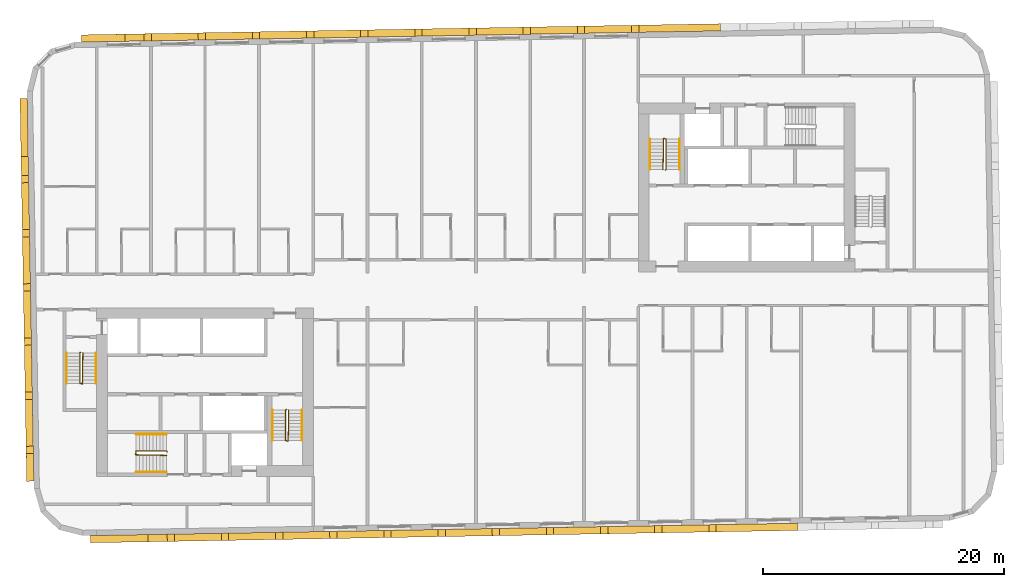
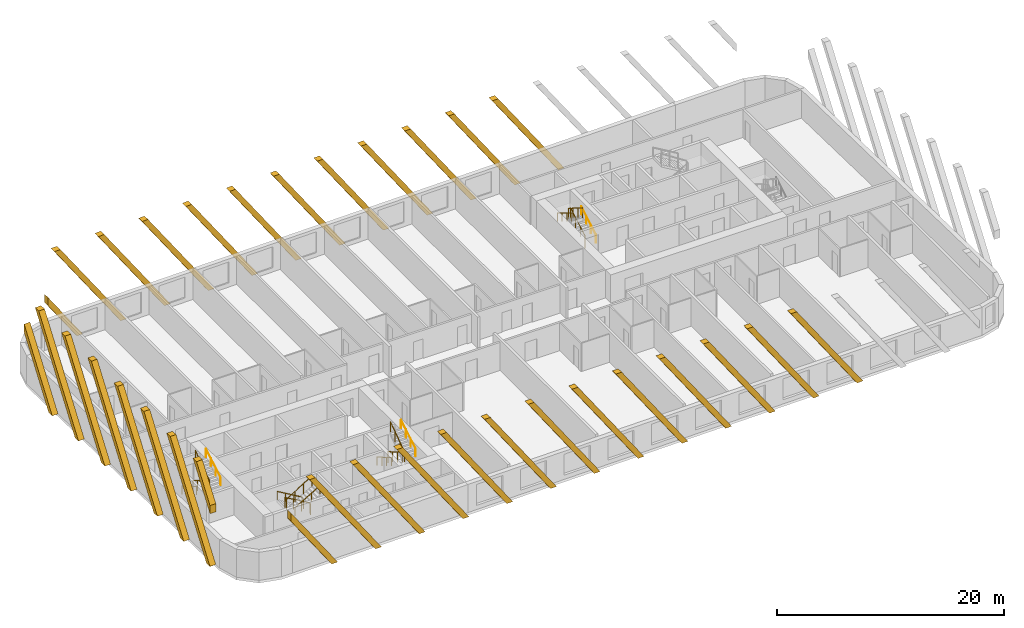
# One storey, part 12 of 13: 33 coverings, 12 railings.
"""IFC4 building model written with IfcOpenShell, lengths in metres."""

from ifc_helpers import new_model, si_unit, direction, frame, origin, origin_2d, place, context, subcontext, project, spatial, polyline, rectangle, circle, outline, extrude, material, material_profile, profile_set, type_object, element, save


model = new_model("IFC4")

# Units and contexts
model_context = context("Model", 3, precision=1e-05, world=origin(), true_north=direction((0.0, 1.0)))
body_context = subcontext(model_context, "Body", "Model", "MODEL_VIEW")
ifc_project = project(units=[si_unit("LENGTHUNIT", "METRE"), si_unit("AREAUNIT", "SQUARE_METRE"), si_unit("VOLUMEUNIT", "CUBIC_METRE"), si_unit("PLANEANGLEUNIT", "RADIAN"), si_unit("MASSUNIT", "GRAM", prefix="KILO")], contexts=[model_context])

# Site, building, storey
site_placement = place(None, origin())
site = spatial("IfcSite", under=ifc_project, at=site_placement, CompositionType="ELEMENT")
building_placement = place(site_placement, origin())
building = spatial("IfcBuilding", under=site, at=building_placement, Name="Kajstack Hotel Tower", CompositionType="ELEMENT")
storey_placement = place(building_placement, frame((0.0, 0.0, 237.5)))
storey = spatial("IfcBuildingStorey", under=building, at=storey_placement, Name="L58", CompositionType="ELEMENT", Elevation=237.5)

# Coverings
ifc_material_1 = material(Name="Terracotta", Category="masonry")
ifc_material_profile = material_profile(ifc_material_1, rectangle(XDim=0.60009765625, YDim=0.5, at=origin_2d()), Name="Terracotta-clad concrete baguette 500 x 600")
ifc_profile_set = profile_set([ifc_material_profile], Name="Terracotta")
covering_type = type_object("IfcCoveringType", Name="BAGUETTE 500x600", PredefinedType="CLADDING", material=ifc_profile_set)
covering_1_placement = place(storey_placement, frame((-37.271484375, 15.8994140625, 0.0), z_axis=(-0.999846892363, -0.017498337962, 0.0), x_axis=(0.017498337962, -0.999846892363, 0.0)))
element("IfcCovering", 1, at=covering_1_placement, inside=storey, type_object=covering_type, Name="Baguette L58-00-002", PredefinedType="CLADDING", context=body_context, shape_type="SweptSolid", body=[
    extrude(outline(polyline([(4.803466796875, 0.0), (0.0, 6.989013671875), (0.0, 6.106201171875), (4.196533203125, 0.0), (4.803466796875, 0.0)])), origin(), (0.0, 0.0, 1.0), 0.599853515625),
])
covering_2_placement = place(storey_placement, frame((-37.23828125, 14.00732421875, 0.0), z_axis=(-0.999847016888, -0.017491221207, 0.0), x_axis=(0.017491221207, -0.999847016888, 0.0)))
element("IfcCovering", 2, at=covering_2_placement, inside=storey, type_object=covering_type, Name="Baguette L58-00-006", PredefinedType="CLADDING", context=body_context, shape_type="SweptSolid", body=[
    extrude(outline(polyline([(0.0, 9.89990234375), (6.80419921875, 0.0), (7.410888671875, 0.0), (0.606689453125, 9.89990234375), (0.0, 9.89990234375)])), origin(), (0.0, 0.0, 1.0), 0.60009765625),
])
for number, where, z_axis, x_axis, name in (
    (3, (-37.159912109375, 9.5078125, 0.0), (-0.999846892363, -0.017498337962, 0.0), (0.017498337962, -0.999846892363, 0.0), "Baguette L58-00-010"),
    (4, (-37.081298828125, 5.008544921875, 0.0), (-0.999846892363, -0.017498337962, 0.0), (0.017498337962, -0.999846892363, 0.0), "Baguette L58-00-014"),
):
    element("IfcCovering", number, at=place(storey_placement, frame(where, z_axis=z_axis, x_axis=x_axis)), inside=storey, type_object=covering_type, Name=name, PredefinedType="CLADDING", context=body_context, shape_type="SweptSolid", body=[
        extrude(outline(polyline([(0.0, 9.89990234375), (6.80419921875, 0.0), (7.410888671875, 0.0), (0.606689453125, 9.89990234375), (0.0, 9.89990234375)])), origin(), (0.0, 0.0, 1.0), 0.599853515625),
    ])
covering_3_placement = place(storey_placement, frame((-37.002685546875, 0.50927734375, 0.0), z_axis=(-0.999847016888, -0.017491221207, 0.0), x_axis=(0.017491221207, -0.999847016888, 0.0)))
element("IfcCovering", 5, at=covering_3_placement, inside=storey, type_object=covering_type, Name="Baguette L58-00-018", PredefinedType="CLADDING", context=body_context, shape_type="SweptSolid", body=[
    extrude(outline(polyline([(0.0, 9.89990234375), (6.80419921875, 0.0), (7.410888671875, 0.0), (0.606689453125, 9.89990234375), (0.0, 9.89990234375)])), origin(), (0.0, 0.0, 1.0), 0.60009765625),
])
covering_4_placement = place(storey_placement, frame((-36.92431640625, -3.989990234375, 0.0), z_axis=(-0.999846892363, -0.017498337962, 0.0), x_axis=(0.017498337962, -0.999846892363, 0.0)))
element("IfcCovering", 6, at=covering_4_placement, inside=storey, type_object=covering_type, Name="Baguette L58-00-022", PredefinedType="CLADDING", context=body_context, shape_type="SweptSolid", body=[
    extrude(outline(polyline([(0.0, 9.89990234375), (6.80419921875, 0.0), (7.410888671875, 0.0), (0.606689453125, 9.89990234375), (0.0, 9.89990234375)])), origin(), (0.0, 0.0, 1.0), 0.599853515625),
])
covering_5_placement = place(storey_placement, frame((-36.845703125, -8.489501953125, 0.0), z_axis=(-0.999853929301, -0.017091520159, 0.0), x_axis=(0.017091520159, -0.999853929301, 0.0)))
element("IfcCovering", 7, at=covering_5_placement, inside=storey, type_object=covering_type, Name="Baguette L58-00-026", PredefinedType="CLADDING", context=body_context, shape_type="SweptSolid", body=[
    extrude(outline(polyline([(6.80419921875, 0.0), (7.407470703125, 0.0), (7.407470703125, 0.0048828125), (0.606689453125, 9.89990234375), (0.0, 9.89990234375), (6.80419921875, 0.0)])), origin(), (0.0, 0.0, 1.0), 0.599853515625),
])
covering_6_placement = place(storey_placement, frame((-36.76708984375, -12.98876953125, 0.0), z_axis=(-0.999846892363, -0.017498337962, 0.0), x_axis=(0.017498337962, -0.999846892363, 0.0)))
element("IfcCovering", 8, at=covering_6_placement, inside=storey, type_object=covering_type, Name="Baguette L58-00-030", PredefinedType="CLADDING", context=body_context, shape_type="SweptSolid", body=[
    extrude(outline(polyline([(0.0, 9.89990234375), (2.907470703125, 5.669677734375), (2.907470703125, 6.552490234375), (0.606689453125, 9.89990234375), (0.0, 9.89990234375)])), origin(), (0.0, 0.0, 1.0), 0.599853515625),
])
covering_7_placement = place(storey_placement, frame((-32.036865234375, -20.414794921875, 0.0), z_axis=(0.017498337962, -0.999846892363, 0.0), x_axis=(0.999846892363, 0.017498337962, 0.0)))
element("IfcCovering", 9, at=covering_7_placement, inside=storey, type_object=covering_type, Name="Baguette L58-04-002", PredefinedType="CLADDING", context=body_context, shape_type="SweptSolid", body=[
    extrude(outline(polyline([(4.803466796875, 0.0), (0.0, 6.989013671875), (0.0, 6.106201171875), (4.196533203125, 0.0), (4.803466796875, 0.0)])), origin(), (0.0, 0.0, 1.0), 0.599853515625),
])
covering_8_placement = place(storey_placement, frame((-30.14453125, -20.381591796875, 0.0), z_axis=(0.017491221207, -0.999847016888, 0.0), x_axis=(0.999847016888, 0.017491221207, 0.0)))
element("IfcCovering", 10, at=covering_8_placement, inside=storey, type_object=covering_type, Name="Baguette L58-04-006", PredefinedType="CLADDING", context=body_context, shape_type="SweptSolid", body=[
    extrude(outline(polyline([(0.0, 9.89990234375), (6.80419921875, 0.0), (7.410888671875, 0.0), (0.606689453125, 9.89990234375), (0.0, 9.89990234375)])), origin(), (0.0, 0.0, 1.0), 0.60009765625),
])
for number, where, z_axis, x_axis, name in (
    (11, (-25.645263671875, -20.30322265625, 0.0), (0.017498337962, -0.999846892363, 0.0), (0.999846892363, 0.017498337962, 0.0), "Baguette L58-04-010"),
    (12, (-21.14599609375, -20.224609375, 0.0), (0.017498337962, -0.999846892363, 0.0), (0.999846892363, 0.017498337962, 0.0), "Baguette L58-04-014"),
):
    element("IfcCovering", number, at=place(storey_placement, frame(where, z_axis=z_axis, x_axis=x_axis)), inside=storey, type_object=covering_type, Name=name, PredefinedType="CLADDING", context=body_context, shape_type="SweptSolid", body=[
        extrude(outline(polyline([(0.0, 9.89990234375), (6.80419921875, 0.0), (7.410888671875, 0.0), (0.606689453125, 9.89990234375), (0.0, 9.89990234375)])), origin(), (0.0, 0.0, 1.0), 0.599853515625),
    ])
covering_9_placement = place(storey_placement, frame((-16.646484375, -20.14599609375, 0.0), z_axis=(0.017491221207, -0.999847016888, 0.0), x_axis=(0.999847016888, 0.017491221207, 0.0)))
element("IfcCovering", 13, at=covering_9_placement, inside=storey, type_object=covering_type, Name="Baguette L58-04-018", PredefinedType="CLADDING", context=body_context, shape_type="SweptSolid", body=[
    extrude(outline(polyline([(0.0, 9.89990234375), (6.80419921875, 0.0), (7.410888671875, 0.0), (0.606689453125, 9.89990234375), (0.0, 9.89990234375)])), origin(), (0.0, 0.0, 1.0), 0.60009765625),
])
for number, where, z_axis, x_axis, name in (
    (14, (-12.147216796875, -20.067626953125, 0.0), (0.017498337962, -0.999846892363, 0.0), (0.999846892363, 0.017498337962, 0.0), "Baguette L58-04-022"),
    (15, (-7.64794921875, -19.989013671875, 0.0), (0.017498337962, -0.999846892363, 0.0), (0.999846892363, 0.017498337962, 0.0), "Baguette L58-04-026"),
):
    element("IfcCovering", number, at=place(storey_placement, frame(where, z_axis=z_axis, x_axis=x_axis)), inside=storey, type_object=covering_type, Name=name, PredefinedType="CLADDING", context=body_context, shape_type="SweptSolid", body=[
        extrude(outline(polyline([(0.0, 9.89990234375), (6.80419921875, 0.0), (7.410888671875, 0.0), (0.606689453125, 9.89990234375), (0.0, 9.89990234375)])), origin(), (0.0, 0.0, 1.0), 0.599853515625),
    ])
covering_10_placement = place(storey_placement, frame((-3.148681640625, -19.910400390625, 0.0), z_axis=(0.017491221207, -0.999847016888, 0.0), x_axis=(0.999847016888, 0.017491221207, 0.0)))
element("IfcCovering", 16, at=covering_10_placement, inside=storey, type_object=covering_type, Name="Baguette L58-04-030", PredefinedType="CLADDING", context=body_context, shape_type="SweptSolid", body=[
    extrude(outline(polyline([(0.0, 9.89990234375), (6.80419921875, 0.0), (7.410888671875, 0.0), (0.606689453125, 9.89990234375), (0.0, 9.89990234375)])), origin(), (0.0, 0.0, 1.0), 0.60009765625),
])
for number, where, z_axis, x_axis, name in (
    (17, (1.3505859375, -19.83203125, 0.0), (0.017498337962, -0.999846892363, 0.0), (0.999846892363, 0.017498337962, 0.0), "Baguette L58-04-034"),
    (18, (5.85009765625, -19.75341796875, 0.0), (0.017091520159, -0.999853929301, 0.0), (0.999853929301, 0.017091520159, 0.0), "Baguette L58-04-038"),
    (19, (10.349365234375, -19.6748046875, 0.0), (0.017498337962, -0.999846892363, 0.0), (0.999846892363, 0.017498337962, 0.0), "Baguette L58-04-042"),
    (20, (14.8486328125, -19.596435546875, 0.0), (0.017498337962, -0.999846892363, 0.0), (0.999846892363, 0.017498337962, 0.0), "Baguette L58-04-046"),
    (21, (19.347900390625, -19.517822265625, 0.0), (0.017498337962, -0.999846892363, 0.0), (0.999846892363, 0.017498337962, 0.0), "Baguette L58-04-050"),
):
    element("IfcCovering", number, at=place(storey_placement, frame(where, z_axis=z_axis, x_axis=x_axis)), inside=storey, type_object=covering_type, Name=name, PredefinedType="CLADDING", context=body_context, shape_type="SweptSolid", body=[
        extrude(outline(polyline([(0.0, 9.89990234375), (6.80419921875, 0.0), (7.410888671875, 0.0), (0.606689453125, 9.89990234375), (0.0, 9.89990234375)])), origin(), (0.0, 0.0, 1.0), 0.599853515625),
    ])
covering_11_placement = place(storey_placement, frame((20.3427734375, 21.505859375, 0.0), z_axis=(-0.017498337962, 0.999846892363, 0.0), x_axis=(-0.999846892363, -0.017498337962, 0.0)))
element("IfcCovering", 22, at=covering_11_placement, inside=storey, type_object=covering_type, Name="Baguette L58-12-022", PredefinedType="CLADDING", context=body_context, shape_type="SweptSolid", body=[
    extrude(outline(polyline([(6.80419921875, 9.89990234375), (0.0, 0.0), (0.606689453125, 0.0), (7.410888671875, 9.89990234375), (6.80419921875, 9.89990234375)])), origin(), (0.0, 0.0, 1.0), 0.599853515625),
])
covering_12_placement = place(storey_placement, frame((15.843505859375, 21.42724609375, 0.0), z_axis=(-0.017491221207, 0.999847016888, 0.0), x_axis=(-0.999847016888, -0.017491221207, 0.0)))
element("IfcCovering", 23, at=covering_12_placement, inside=storey, type_object=covering_type, Name="Baguette L58-12-026", PredefinedType="CLADDING", context=body_context, shape_type="SweptSolid", body=[
    extrude(outline(polyline([(6.80419921875, 9.89990234375), (0.0, 0.0), (0.606689453125, 0.0), (7.410888671875, 9.89990234375), (6.80419921875, 9.89990234375)])), origin(), (0.0, 0.0, 1.0), 0.60009765625),
])
for number, where, z_axis, x_axis, name in (
    (24, (11.34423828125, 21.348876953125, 0.0), (-0.017498337962, 0.999846892363, 0.0), (-0.999846892363, -0.017498337962, 0.0), "Baguette L58-12-030"),
    (25, (6.844970703125, 21.270263671875, 0.0), (-0.017498337962, 0.999846892363, 0.0), (-0.999846892363, -0.017498337962, 0.0), "Baguette L58-12-034"),
):
    element("IfcCovering", number, at=place(storey_placement, frame(where, z_axis=z_axis, x_axis=x_axis)), inside=storey, type_object=covering_type, Name=name, PredefinedType="CLADDING", context=body_context, shape_type="SweptSolid", body=[
        extrude(outline(polyline([(6.80419921875, 9.89990234375), (0.0, 0.0), (0.606689453125, 0.0), (7.410888671875, 9.89990234375), (6.80419921875, 9.89990234375)])), origin(), (0.0, 0.0, 1.0), 0.599853515625),
    ])
covering_13_placement = place(storey_placement, frame((2.345703125, 21.191650390625, 0.0), z_axis=(-0.017491221207, 0.999847016888, 0.0), x_axis=(-0.999847016888, -0.017491221207, 0.0)))
element("IfcCovering", 26, at=covering_13_placement, inside=storey, type_object=covering_type, Name="Baguette L58-12-038", PredefinedType="CLADDING", context=body_context, shape_type="SweptSolid", body=[
    extrude(outline(polyline([(6.80419921875, 9.89990234375), (0.0, 0.0), (0.606689453125, 0.0), (7.410888671875, 9.89990234375), (6.80419921875, 9.89990234375)])), origin(), (0.0, 0.0, 1.0), 0.60009765625),
])
for number, where, z_axis, x_axis, name in (
    (27, (-2.15380859375, 21.11328125, 0.0), (-0.017498337962, 0.999846892363, 0.0), (-0.999846892363, -0.017498337962, 0.0), "Baguette L58-12-042"),
    (28, (-6.653076171875, 21.03466796875, 0.0), (-0.017498337962, 0.999846892363, 0.0), (-0.999846892363, -0.017498337962, 0.0), "Baguette L58-12-046"),
    (29, (-11.15234375, 20.9560546875, 0.0), (-0.017498337962, 0.999846892363, 0.0), (-0.999846892363, -0.017498337962, 0.0), "Baguette L58-12-050"),
    (30, (-15.651611328125, 20.877685546875, 0.0), (-0.017498337962, 0.999846892363, 0.0), (-0.999846892363, -0.017498337962, 0.0), "Baguette L58-12-054"),
    (31, (-20.15087890625, 20.799072265625, 0.0), (-0.017498337962, 0.999846892363, 0.0), (-0.999846892363, -0.017498337962, 0.0), "Baguette L58-12-058"),
    (32, (-24.650390625, 20.720458984375, 0.0), (-0.017091520159, 0.999853929301, 0.0), (-0.999853929301, -0.017091520159, 0.0), "Baguette L58-12-062"),
):
    element("IfcCovering", number, at=place(storey_placement, frame(where, z_axis=z_axis, x_axis=x_axis)), inside=storey, type_object=covering_type, Name=name, PredefinedType="CLADDING", context=body_context, shape_type="SweptSolid", body=[
        extrude(outline(polyline([(6.80419921875, 9.89990234375), (0.0, 0.0), (0.606689453125, 0.0), (7.410888671875, 9.89990234375), (6.80419921875, 9.89990234375)])), origin(), (0.0, 0.0, 1.0), 0.599853515625),
    ])
covering_14_placement = place(storey_placement, frame((-29.149658203125, 20.641845703125, 0.0), z_axis=(-0.017491221207, 0.999847016888, 0.0), x_axis=(-0.999847016888, -0.017491221207, 0.0)))
element("IfcCovering", 33, at=covering_14_placement, inside=storey, type_object=covering_type, Name="Baguette L58-12-066", PredefinedType="CLADDING", context=body_context, shape_type="SweptSolid", body=[
    extrude(outline(polyline([(0.606689453125, 0.0), (3.603271484375, 4.360107421875), (3.603271484375, 5.242919921875), (0.0, 0.0), (0.606689453125, 0.0)])), origin(), (0.0, 0.0, 1.0), 0.60009765625),
])

# Railings
ifc_material_2 = material(Name="Steel S355J2", Category="steel")
railing_type_1 = type_object("IfcRailingType", Name="Stair guard 1100", PredefinedType="GUARDRAIL", material=ifc_material_2)
railing_1_placement = place(storey_placement, frame((-32.85009765625, -5.199951171875, 0.0)))
element("IfcRailing", 34, at=railing_1_placement, inside=storey, type_object=railing_type_1, Name="L58 W1 stair guard 1", PredefinedType="GUARDRAIL", context=body_context, shape_type="SweptSolid", body=[
    extrude(circle(Radius=0.02392578125, at=origin_2d()), frame((0.0, 0.0, 1.076171875), z_axis=(-0.277450376394, -0.278810427259, 0.919394384522), x_axis=(0.708833529934, -0.705375805398, 0.0)), (0.0, 0.0, 1.0), 0.179443359375),
    extrude(circle(Radius=0.02392578125, at=origin_2d()), frame((-0.0498046875, -0.050048828125, 1.2412109375), z_axis=(0.0, -0.861560626758, 0.507654692109), x_axis=(1.0, 0.0, 0.0)), (0.0, 0.0, 1.0), 2.925048828125),
    extrude(circle(Radius=0.02392578125, at=origin_2d()), frame((-0.0498046875, -2.570068359375, 2.72607421875), z_axis=(0.970072785993, -0.242814311512, 0.0), x_axis=(0.242814311512, 0.970072785993, 0.0)), (0.0, 0.0, 1.0), 0.2060546875),
    extrude(circle(Radius=0.02392578125, at=origin_2d()), frame((0.150146484375, -2.6201171875, 2.72607421875), z_axis=(0.016384601254, 0.84136925563, 0.540212292087), x_axis=(-0.999810440751, 0.019470042781, 0.0)), (0.0, 0.0, 1.0), 3.0546875),
    extrude(circle(Radius=0.02099609375, at=origin_2d()), origin(), (0.0, 0.0, 1.0), 1.052001953125),
    extrude(circle(Radius=0.02099609375, at=origin_2d()), frame((-0.0498046875, -0.050048828125, 0.1650390625)), (0.0, 0.0, 1.0), 1.052001953125),
    extrude(circle(Radius=0.02099609375, at=origin_2d()), frame((-0.0498046875, -0.89013671875, 0.659912109375)), (0.0, 0.0, 1.0), 1.052001953125),
    extrude(circle(Radius=0.02099609375, at=origin_2d()), frame((-0.0498046875, -1.72998046875, 1.155029296875)), (0.0, 0.0, 1.0), 1.052001953125),
    extrude(circle(Radius=0.02099609375, at=origin_2d()), frame((-0.0498046875, -2.570068359375, 1.64990234375)), (0.0, 0.0, 1.0), 1.052001953125),
    extrude(circle(Radius=0.02099609375, at=origin_2d()), frame((0.150146484375, -2.6201171875, 1.64990234375)), (0.0, 0.0, 1.0), 1.052001953125),
    extrude(circle(Radius=0.02099609375, at=origin_2d()), frame((0.166748046875, -1.763427734375, 2.199951171875)), (0.0, 0.0, 1.0), 1.052001953125),
    extrude(circle(Radius=0.02099609375, at=origin_2d()), frame((0.18359375, -0.90673828125, 2.75)), (0.0, 0.0, 1.0), 1.052001953125),
    extrude(circle(Radius=0.02099609375, at=origin_2d()), frame((0.2001953125, -0.050048828125, 3.300048828125)), (0.0, 0.0, 1.0), 1.052001953125),
])
railing_2_placement = place(storey_placement, frame((-15.75, -9.949951171875, 0.0)))
element("IfcRailing", 35, at=railing_2_placement, inside=storey, type_object=railing_type_1, Name="L58 W2 stair guard 1", PredefinedType="GUARDRAIL", context=body_context, shape_type="SweptSolid", body=[
    extrude(circle(Radius=0.02392578125, at=origin_2d()), frame((0.0, 0.0, 1.076171875), z_axis=(-0.278705021027, -0.278705021027, 0.919046801044), x_axis=(0.707106781187, -0.707106781187, 0.0)), (0.0, 0.0, 1.0), 0.1796875),
    extrude(circle(Radius=0.02392578125, at=origin_2d()), frame((-0.050048828125, -0.050048828125, 1.2412109375), z_axis=(0.0, -0.861560626758, 0.507654692109), x_axis=(1.0, 0.0, 0.0)), (0.0, 0.0, 1.0), 2.925048828125),
    extrude(circle(Radius=0.02392578125, at=origin_2d()), frame((-0.050048828125, -2.570068359375, 2.72607421875), z_axis=(0.970072785993, -0.242814311512, 0.0), x_axis=(0.242814311512, 0.970072785993, 0.0)), (0.0, 0.0, 1.0), 0.2060546875),
    extrude(circle(Radius=0.02392578125, at=origin_2d()), frame((0.14990234375, -2.6201171875, 2.72607421875), z_axis=(0.016384601254, 0.84136925563, 0.540212292087), x_axis=(-0.999810440751, 0.019470042781, 0.0)), (0.0, 0.0, 1.0), 3.0546875),
    extrude(circle(Radius=0.02099609375, at=origin_2d()), origin(), (0.0, 0.0, 1.0), 1.052001953125),
    extrude(circle(Radius=0.02099609375, at=origin_2d()), frame((-0.050048828125, -0.050048828125, 0.1650390625)), (0.0, 0.0, 1.0), 1.052001953125),
    extrude(circle(Radius=0.02099609375, at=origin_2d()), frame((-0.050048828125, -0.89013671875, 0.659912109375)), (0.0, 0.0, 1.0), 1.052001953125),
    extrude(circle(Radius=0.02099609375, at=origin_2d()), frame((-0.050048828125, -1.72998046875, 1.155029296875)), (0.0, 0.0, 1.0), 1.052001953125),
    extrude(circle(Radius=0.02099609375, at=origin_2d()), frame((-0.050048828125, -2.570068359375, 1.64990234375)), (0.0, 0.0, 1.0), 1.052001953125),
    extrude(circle(Radius=0.02099609375, at=origin_2d()), frame((0.14990234375, -2.6201171875, 1.64990234375)), (0.0, 0.0, 1.0), 1.052001953125),
    extrude(circle(Radius=0.02099609375, at=origin_2d()), frame((0.16650390625, -1.763427734375, 2.199951171875)), (0.0, 0.0, 1.0), 1.052001953125),
    extrude(circle(Radius=0.02099609375, at=origin_2d()), frame((0.183349609375, -0.90673828125, 2.75)), (0.0, 0.0, 1.0), 1.052001953125),
    extrude(circle(Radius=0.02099609375, at=origin_2d()), frame((0.199951171875, -0.050048828125, 3.300048828125)), (0.0, 0.0, 1.0), 1.052001953125),
])
railing_3_placement = place(storey_placement, frame((-25.64990234375, -13.449951171875, 0.0)))
element("IfcRailing", 36, at=railing_3_placement, inside=storey, type_object=railing_type_1, Name="L58 W3 stair guard 1", PredefinedType="GUARDRAIL", context=body_context, shape_type="SweptSolid", body=[
    extrude(circle(Radius=0.02392578125, at=origin_2d()), frame((0.0, 0.0, 1.076171875), z_axis=(-0.278705021027, 0.278705021027, 0.919046801044), x_axis=(-0.707106781187, -0.707106781187, 0.0)), (0.0, 0.0, 1.0), 0.1796875),
    extrude(circle(Radius=0.02392578125, at=origin_2d()), frame((-0.050048828125, 0.050048828125, 1.2412109375), z_axis=(-0.861560626758, 0.0, 0.507654692109), x_axis=(0.0, -1.0, 0.0)), (0.0, 0.0, 1.0), 2.925048828125),
    extrude(circle(Radius=0.02392578125, at=origin_2d()), frame((-2.570068359375, 0.050048828125, 2.72607421875), z_axis=(-0.164529134168, -0.986372223864, 0.0), x_axis=(0.986372223864, -0.164529134168, 0.0)), (0.0, 0.0, 1.0), 0.30419921875),
    extrude(circle(Radius=0.02392578125, at=origin_2d()), frame((-2.6201171875, -0.25, 2.72607421875), z_axis=(0.84136925563, -0.016384601254, 0.540212292087), x_axis=(0.019470042781, 0.999810440751, 0.0)), (0.0, 0.0, 1.0), 3.0546875),
    extrude(circle(Radius=0.02099609375, at=origin_2d()), origin(), (0.0, 0.0, 1.0), 1.052001953125),
    extrude(circle(Radius=0.02099609375, at=origin_2d()), frame((-0.050048828125, 0.050048828125, 0.1650390625)), (0.0, 0.0, 1.0), 1.052001953125),
    extrude(circle(Radius=0.02099609375, at=origin_2d()), frame((-0.89013671875, 0.050048828125, 0.659912109375)), (0.0, 0.0, 1.0), 1.052001953125),
    extrude(circle(Radius=0.02099609375, at=origin_2d()), frame((-1.72998046875, 0.050048828125, 1.155029296875)), (0.0, 0.0, 1.0), 1.052001953125),
    extrude(circle(Radius=0.02099609375, at=origin_2d()), frame((-2.570068359375, 0.050048828125, 1.64990234375)), (0.0, 0.0, 1.0), 1.052001953125),
    extrude(circle(Radius=0.02099609375, at=origin_2d()), frame((-2.6201171875, -0.25, 1.64990234375)), (0.0, 0.0, 1.0), 1.052001953125),
    extrude(circle(Radius=0.02099609375, at=origin_2d()), frame((-1.763427734375, -0.2666015625, 2.199951171875)), (0.0, 0.0, 1.0), 1.052001953125),
    extrude(circle(Radius=0.02099609375, at=origin_2d()), frame((-0.90673828125, -0.283447265625, 2.75)), (0.0, 0.0, 1.0), 1.052001953125),
    extrude(circle(Radius=0.02099609375, at=origin_2d()), frame((-0.050048828125, -0.300048828125, 3.300048828125)), (0.0, 0.0, 1.0), 1.052001953125),
])
railing_4_placement = place(storey_placement, frame((15.75, 9.949951171875, 0.0)))
element("IfcRailing", 37, at=railing_4_placement, inside=storey, type_object=railing_type_1, Name="L58 E2 stair guard 1", PredefinedType="GUARDRAIL", context=body_context, shape_type="SweptSolid", body=[
    extrude(circle(Radius=0.02392578125, at=origin_2d()), frame((0.0, 0.0, 1.076171875), z_axis=(0.278705021027, 0.278705021027, 0.919046801044), x_axis=(-0.707106781187, 0.707106781187, 0.0)), (0.0, 0.0, 1.0), 0.1796875),
    extrude(circle(Radius=0.02392578125, at=origin_2d()), frame((0.050048828125, 0.050048828125, 1.2412109375), z_axis=(0.0, 0.861560626758, 0.507654692109), x_axis=(-1.0, 0.0, 0.0)), (0.0, 0.0, 1.0), 2.925048828125),
    extrude(circle(Radius=0.02392578125, at=origin_2d()), frame((0.050048828125, 2.570068359375, 2.72607421875), z_axis=(-0.970072785993, 0.242814311512, 0.0), x_axis=(-0.242814311512, -0.970072785993, 0.0)), (0.0, 0.0, 1.0), 0.2060546875),
    extrude(circle(Radius=0.02392578125, at=origin_2d()), frame((-0.14990234375, 2.6201171875, 2.72607421875), z_axis=(-0.016384601254, -0.84136925563, 0.540212292087), x_axis=(0.999810440751, -0.019470042781, 0.0)), (0.0, 0.0, 1.0), 3.0546875),
    extrude(circle(Radius=0.02099609375, at=origin_2d()), origin(), (0.0, 0.0, 1.0), 1.052001953125),
    extrude(circle(Radius=0.02099609375, at=origin_2d()), frame((0.050048828125, 0.050048828125, 0.1650390625)), (0.0, 0.0, 1.0), 1.052001953125),
    extrude(circle(Radius=0.02099609375, at=origin_2d()), frame((0.050048828125, 0.89013671875, 0.659912109375)), (0.0, 0.0, 1.0), 1.052001953125),
    extrude(circle(Radius=0.02099609375, at=origin_2d()), frame((0.050048828125, 1.72998046875, 1.155029296875)), (0.0, 0.0, 1.0), 1.052001953125),
    extrude(circle(Radius=0.02099609375, at=origin_2d()), frame((0.050048828125, 2.570068359375, 1.64990234375)), (0.0, 0.0, 1.0), 1.052001953125),
    extrude(circle(Radius=0.02099609375, at=origin_2d()), frame((-0.14990234375, 2.6201171875, 1.64990234375)), (0.0, 0.0, 1.0), 1.052001953125),
    extrude(circle(Radius=0.02099609375, at=origin_2d()), frame((-0.16650390625, 1.763427734375, 2.199951171875)), (0.0, 0.0, 1.0), 1.052001953125),
    extrude(circle(Radius=0.02099609375, at=origin_2d()), frame((-0.183349609375, 0.90673828125, 2.75)), (0.0, 0.0, 1.0), 1.052001953125),
    extrude(circle(Radius=0.02099609375, at=origin_2d()), frame((-0.199951171875, 0.050048828125, 3.300048828125)), (0.0, 0.0, 1.0), 1.052001953125),
])
railing_type_2 = type_object("IfcRailingType", Name="Stair handrail 900", PredefinedType="HANDRAIL", material=ifc_material_2)
railing_5_placement = place(storey_placement, frame((-34.0, -5.25, 0.1650390625)))
element("IfcRailing", 38, at=railing_5_placement, inside=storey, type_object=railing_type_2, Name="L58 W1 stair handrail 1", PredefinedType="HANDRAIL", context=body_context, shape_type="SweptSolid", body=[
    extrude(circle(Radius=0.02392578125, at=origin_2d()), frame((0.0, 0.0, 0.8759765625), z_axis=(0.0, -0.861560626758, 0.507654692109), x_axis=(1.0, 0.0, 0.0)), (0.0, 0.0, 1.0), 2.925048828125),
    extrude(circle(Radius=0.02099609375, at=origin_2d()), origin(), (0.0, 0.0, 1.0), 0.851806640625),
    extrude(circle(Radius=0.02099609375, at=origin_2d()), frame((0.0, -0.840087890625, 0.494873046875)), (0.0, 0.0, 1.0), 0.851806640625),
    extrude(circle(Radius=0.02099609375, at=origin_2d()), frame((0.0, -1.679931640625, 0.989990234375)), (0.0, 0.0, 1.0), 0.851806640625),
    extrude(circle(Radius=0.02099609375, at=origin_2d()), frame((0.0, -2.52001953125, 1.48486328125)), (0.0, 0.0, 1.0), 0.851806640625),
])
railing_6_placement = place(storey_placement, frame((-31.550048828125, -7.77001953125, 1.81494140625)))
element("IfcRailing", 39, at=railing_6_placement, inside=storey, type_object=railing_type_2, Name="L58 W1 stair handrail 2", PredefinedType="HANDRAIL", context=body_context, shape_type="SweptSolid", body=[
    extrude(circle(Radius=0.02392578125, at=origin_2d()), frame((0.0, 0.0, 0.8759765625), z_axis=(0.0, 0.86152411907, 0.507716645641), x_axis=(-1.0, 0.0, 0.0)), (0.0, 0.0, 1.0), 2.925048828125),
    extrude(circle(Radius=0.02099609375, at=origin_2d()), origin(), (0.0, 0.0, 1.0), 0.851806640625),
    extrude(circle(Radius=0.02099609375, at=origin_2d()), frame((0.0, 0.840087890625, 0.4951171875)), (0.0, 0.0, 1.0), 0.851806640625),
    extrude(circle(Radius=0.02099609375, at=origin_2d()), frame((0.0, 1.679931640625, 0.989990234375)), (0.0, 0.0, 1.0), 0.851806640625),
    extrude(circle(Radius=0.02099609375, at=origin_2d()), frame((0.0, 2.52001953125, 1.485107421875)), (0.0, 0.0, 1.0), 0.851806640625),
])
railing_7_placement = place(storey_placement, frame((-16.89990234375, -10.0, 0.1650390625)))
element("IfcRailing", 40, at=railing_7_placement, inside=storey, type_object=railing_type_2, Name="L58 W2 stair handrail 1", PredefinedType="HANDRAIL", context=body_context, shape_type="SweptSolid", body=[
    extrude(circle(Radius=0.02392578125, at=origin_2d()), frame((0.0, 0.0, 0.8759765625), z_axis=(0.0, -0.861560626758, 0.507654692109), x_axis=(1.0, 0.0, 0.0)), (0.0, 0.0, 1.0), 2.925048828125),
    extrude(circle(Radius=0.02099609375, at=origin_2d()), origin(), (0.0, 0.0, 1.0), 0.851806640625),
    extrude(circle(Radius=0.02099609375, at=origin_2d()), frame((0.0, -0.840087890625, 0.494873046875)), (0.0, 0.0, 1.0), 0.851806640625),
    extrude(circle(Radius=0.02099609375, at=origin_2d()), frame((0.0, -1.679931640625, 0.989990234375)), (0.0, 0.0, 1.0), 0.851806640625),
    extrude(circle(Radius=0.02099609375, at=origin_2d()), frame((0.0, -2.52001953125, 1.48486328125)), (0.0, 0.0, 1.0), 0.851806640625),
])
railing_8_placement = place(storey_placement, frame((-14.449951171875, -12.52001953125, 1.81494140625)))
element("IfcRailing", 41, at=railing_8_placement, inside=storey, type_object=railing_type_2, Name="L58 W2 stair handrail 2", PredefinedType="HANDRAIL", context=body_context, shape_type="SweptSolid", body=[
    extrude(circle(Radius=0.02392578125, at=origin_2d()), frame((0.0, 0.0, 0.8759765625), z_axis=(0.0, 0.86152411907, 0.507716645641), x_axis=(-1.0, 0.0, 0.0)), (0.0, 0.0, 1.0), 2.925048828125),
    extrude(circle(Radius=0.02099609375, at=origin_2d()), origin(), (0.0, 0.0, 1.0), 0.851806640625),
    extrude(circle(Radius=0.02099609375, at=origin_2d()), frame((0.0, 0.840087890625, 0.4951171875)), (0.0, 0.0, 1.0), 0.851806640625),
    extrude(circle(Radius=0.02099609375, at=origin_2d()), frame((0.0, 1.679931640625, 0.989990234375)), (0.0, 0.0, 1.0), 0.851806640625),
    extrude(circle(Radius=0.02099609375, at=origin_2d()), frame((0.0, 2.52001953125, 1.485107421875)), (0.0, 0.0, 1.0), 0.851806640625),
])
railing_9_placement = place(storey_placement, frame((-25.699951171875, -12.0, 0.1650390625)))
element("IfcRailing", 42, at=railing_9_placement, inside=storey, type_object=railing_type_2, Name="L58 W3 stair handrail 1", PredefinedType="HANDRAIL", context=body_context, shape_type="SweptSolid", body=[
    extrude(circle(Radius=0.02392578125, at=origin_2d()), frame((0.0, 0.0, 0.8759765625), z_axis=(-0.861560626758, 0.0, 0.507654692109), x_axis=(0.0, -1.0, 0.0)), (0.0, 0.0, 1.0), 2.925048828125),
    extrude(circle(Radius=0.02099609375, at=origin_2d()), origin(), (0.0, 0.0, 1.0), 0.851806640625),
    extrude(circle(Radius=0.02099609375, at=origin_2d()), frame((-0.840087890625, 0.0, 0.494873046875)), (0.0, 0.0, 1.0), 0.851806640625),
    extrude(circle(Radius=0.02099609375, at=origin_2d()), frame((-1.679931640625, 0.0, 0.989990234375)), (0.0, 0.0, 1.0), 0.851806640625),
    extrude(circle(Radius=0.02099609375, at=origin_2d()), frame((-2.52001953125, 0.0, 1.48486328125)), (0.0, 0.0, 1.0), 0.851806640625),
])
railing_10_placement = place(storey_placement, frame((-28.219970703125, -15.14990234375, 1.81494140625)))
element("IfcRailing", 43, at=railing_10_placement, inside=storey, type_object=railing_type_2, Name="L58 W3 stair handrail 2", PredefinedType="HANDRAIL", context=body_context, shape_type="SweptSolid", body=[
    extrude(circle(Radius=0.02392578125, at=origin_2d()), frame((0.0, 0.0, 0.8759765625), z_axis=(0.86152411907, 0.0, 0.507716645641), x_axis=(0.0, 1.0, 0.0)), (0.0, 0.0, 1.0), 2.925048828125),
    extrude(circle(Radius=0.02099609375, at=origin_2d()), origin(), (0.0, 0.0, 1.0), 0.851806640625),
    extrude(circle(Radius=0.02099609375, at=origin_2d()), frame((0.840087890625, 0.0, 0.4951171875)), (0.0, 0.0, 1.0), 0.851806640625),
    extrude(circle(Radius=0.02099609375, at=origin_2d()), frame((1.679931640625, 0.0, 0.989990234375)), (0.0, 0.0, 1.0), 0.851806640625),
    extrude(circle(Radius=0.02099609375, at=origin_2d()), frame((2.52001953125, 0.0, 1.485107421875)), (0.0, 0.0, 1.0), 0.851806640625),
])
railing_11_placement = place(storey_placement, frame((16.89990234375, 10.0, 0.1650390625)))
element("IfcRailing", 44, at=railing_11_placement, inside=storey, type_object=railing_type_2, Name="L58 E2 stair handrail 1", PredefinedType="HANDRAIL", context=body_context, shape_type="SweptSolid", body=[
    extrude(circle(Radius=0.02392578125, at=origin_2d()), frame((0.0, 0.0, 0.8759765625), z_axis=(0.0, 0.861560626758, 0.507654692109), x_axis=(-1.0, 0.0, 0.0)), (0.0, 0.0, 1.0), 2.925048828125),
    extrude(circle(Radius=0.02099609375, at=origin_2d()), origin(), (0.0, 0.0, 1.0), 0.851806640625),
    extrude(circle(Radius=0.02099609375, at=origin_2d()), frame((0.0, 0.840087890625, 0.494873046875)), (0.0, 0.0, 1.0), 0.851806640625),
    extrude(circle(Radius=0.02099609375, at=origin_2d()), frame((0.0, 1.679931640625, 0.989990234375)), (0.0, 0.0, 1.0), 0.851806640625),
    extrude(circle(Radius=0.02099609375, at=origin_2d()), frame((0.0, 2.52001953125, 1.48486328125)), (0.0, 0.0, 1.0), 0.851806640625),
])
railing_12_placement = place(storey_placement, frame((14.449951171875, 12.52001953125, 1.81494140625)))
element("IfcRailing", 45, at=railing_12_placement, inside=storey, type_object=railing_type_2, Name="L58 E2 stair handrail 2", PredefinedType="HANDRAIL", context=body_context, shape_type="SweptSolid", body=[
    extrude(circle(Radius=0.02392578125, at=origin_2d()), frame((0.0, 0.0, 0.8759765625), z_axis=(0.0, -0.86152411907, 0.507716645641), x_axis=(1.0, 0.0, 0.0)), (0.0, 0.0, 1.0), 2.925048828125),
    extrude(circle(Radius=0.02099609375, at=origin_2d()), origin(), (0.0, 0.0, 1.0), 0.851806640625),
    extrude(circle(Radius=0.02099609375, at=origin_2d()), frame((0.0, -0.840087890625, 0.4951171875)), (0.0, 0.0, 1.0), 0.851806640625),
    extrude(circle(Radius=0.02099609375, at=origin_2d()), frame((0.0, -1.679931640625, 0.989990234375)), (0.0, 0.0, 1.0), 0.851806640625),
    extrude(circle(Radius=0.02099609375, at=origin_2d()), frame((0.0, -2.52001953125, 1.485107421875)), (0.0, 0.0, 1.0), 0.851806640625),
])

save(model, "model.ifc")
